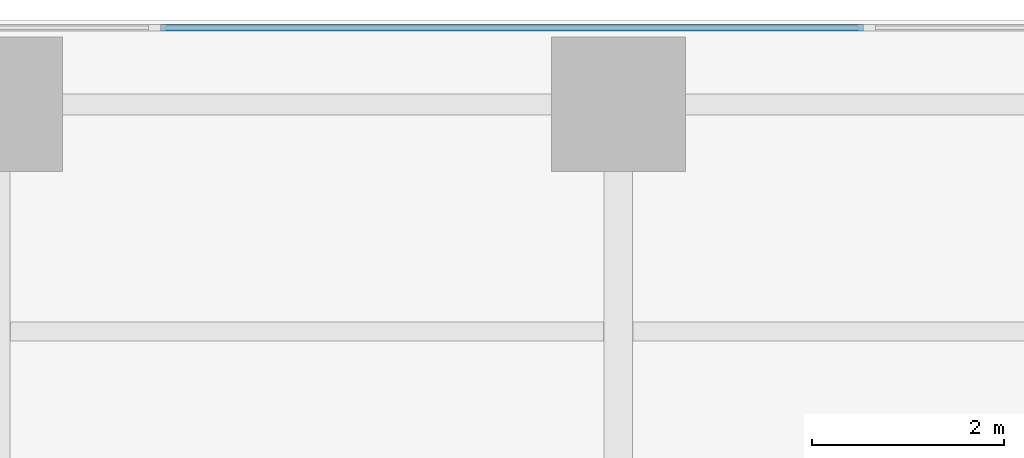
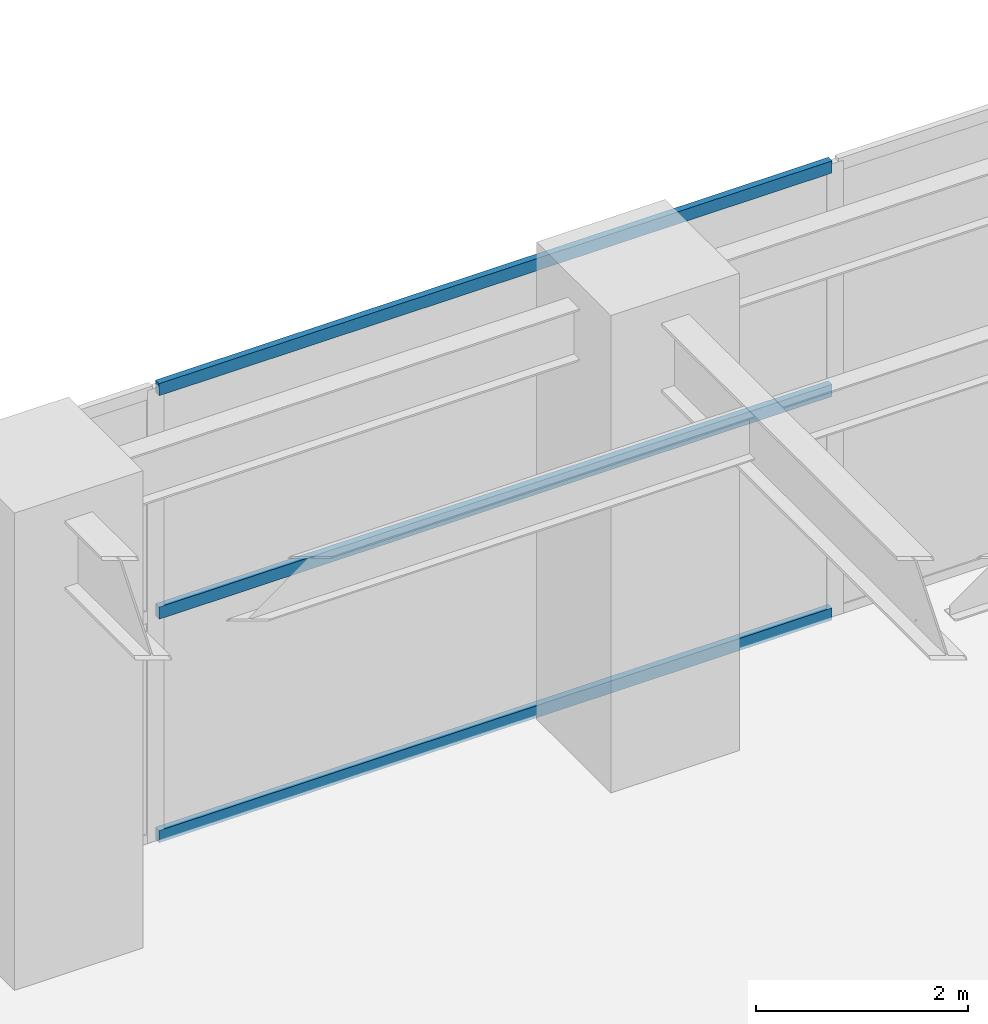
# One storey, part 7 of 18: 3 members, 1 element without a shape of its own.
"""IFC4 building model written with IfcOpenShell, lengths in metres."""

from ifc_helpers import new_model, si_unit, direction, frame, origin, origin_2d, place, context, subcontext, project, spatial, rectangle, extrude, material, layer, layer_set, material_profile, profile_set, type_object, element, aggregate, save


model = new_model("IFC4")

# Units and contexts
model_context = context("Model", 3, precision=1e-05, world=origin(), true_north=direction((0.0, 1.0)))
body_context = subcontext(model_context, "Body", "Model", "MODEL_VIEW")
ifc_project = project(units=[si_unit("LENGTHUNIT", "METRE"), si_unit("AREAUNIT", "SQUARE_METRE"), si_unit("VOLUMEUNIT", "CUBIC_METRE"), si_unit("PLANEANGLEUNIT", "RADIAN"), si_unit("MASSUNIT", "GRAM", prefix="KILO")], contexts=[model_context])

# Site, building, storey
site_placement = place(None, origin())
site = spatial("IfcSite", under=ifc_project, at=site_placement, CompositionType="ELEMENT")
building_placement = place(site_placement, origin())
building = spatial("IfcBuilding", under=site, at=building_placement, Name="Putna Gate Headquarters", CompositionType="ELEMENT")
storey_placement = place(building_placement, frame((0.0, 0.0, 11.5)))
storey = spatial("IfcBuildingStorey", under=building, at=storey_placement, Name="L02", CompositionType="ELEMENT", Elevation=11.5)

# Curtain wall, members
ifc_material_1 = material(Name="Anodised bronze aluminium curtain wall", Category="aluminium")
ifc_layer = layer(ifc_material_1, 0.179931640625)
ifc_layer_set = layer_set([ifc_layer], Name="Anodised bronze aluminium curtain wall")
curtain_wall_type = type_object("IfcCurtainWallType", Name="CW-SYS-POD", PredefinedType="USERDEFINED", material=ifc_layer_set)
curtain_wall_placement = place(storey_placement, origin())
curtain_wall = element("IfcCurtainWall", 1, at=curtain_wall_placement, inside=storey, type_object=curtain_wall_type, Name="L02 North East Curtain Wall", ObjectType="STICK CURTAIN WALL", PredefinedType="USERDEFINED")
ifc_material_2 = material(Name="Anodised bronze aluminium EN AW-6060", Category="aluminium")
ifc_material_profile = material_profile(ifc_material_2, rectangle(XDim=0.070068359375, YDim=0.139892578125, at=origin_2d()), Name="Anodised bronze aluminium EN AW-6060")
ifc_profile_set = profile_set([ifc_material_profile], Name="Anodised bronze aluminium EN AW-6060")
member_type = type_object("IfcMemberType", Name="TRAN-CWT-P", PredefinedType="USERDEFINED", material=ifc_profile_set)
member_1_placement = place(storey_placement, frame((60.2216796875, 51.919921875, 0.034912109375), z_axis=(1.0, 0.0, 0.0), x_axis=(0.0, 1.0, 0.0)))
member_1 = element("IfcMember", 2, at=member_1_placement, type_object=member_type, Name="CWS-P transom 2.1", ObjectType="TRANSOM", PredefinedType="USERDEFINED", context=body_context, shape_type="SweptSolid", body=[
    extrude(rectangle(XDim=0.070068359375, YDim=0.139892578125, at=origin_2d()), origin(), (0.0, 0.0, 1.0), 7.336669921875),
])
member_2_placement = place(storey_placement, frame((60.2216796875, 51.919921875, 2.610107421875), z_axis=(1.0, 0.0, 0.0), x_axis=(0.0, 1.0, 0.0)))
member_2 = element("IfcMember", 3, at=member_2_placement, type_object=member_type, Name="CWS-P transom 2.2", ObjectType="TRANSOM", PredefinedType="USERDEFINED", context=body_context, shape_type="SweptSolid", body=[
    extrude(rectangle(XDim=0.070068359375, YDim=0.139892578125, at=origin_2d()), origin(), (0.0, 0.0, 1.0), 7.336669921875),
])
member_3_placement = place(storey_placement, frame((60.2216796875, 51.919921875, 5.18505859375), z_axis=(1.0, 0.0, 0.0), x_axis=(0.0, 1.0, 0.0)))
member_3 = element("IfcMember", 4, at=member_3_placement, type_object=member_type, Name="CWS-P transom 2.3", ObjectType="TRANSOM", PredefinedType="USERDEFINED", context=body_context, shape_type="SweptSolid", body=[
    extrude(rectangle(XDim=0.070068359375, YDim=0.139892578125, at=origin_2d()), origin(), (0.0, 0.0, 1.0), 7.336669921875),
])
aggregate(curtain_wall, [member_1, member_2, member_3])

save(model, "model.ifc")
